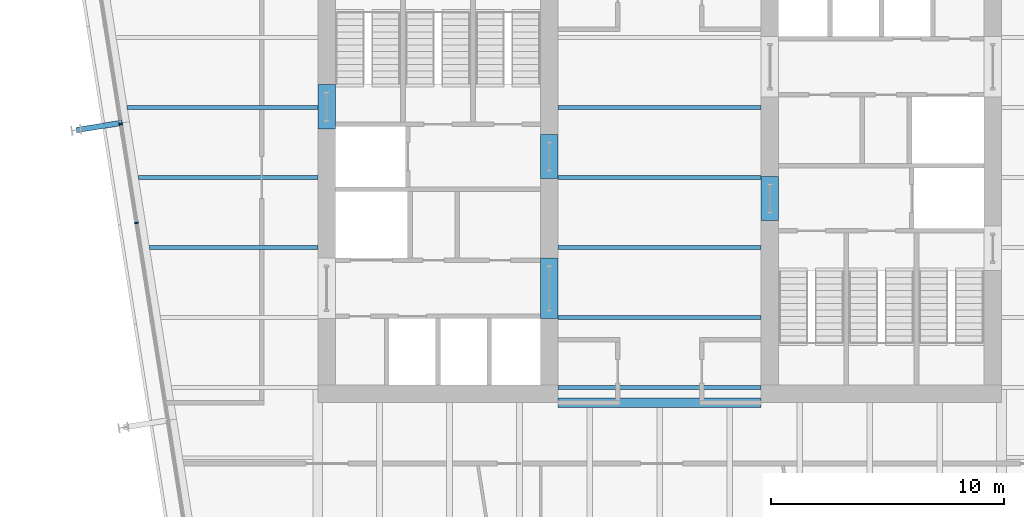
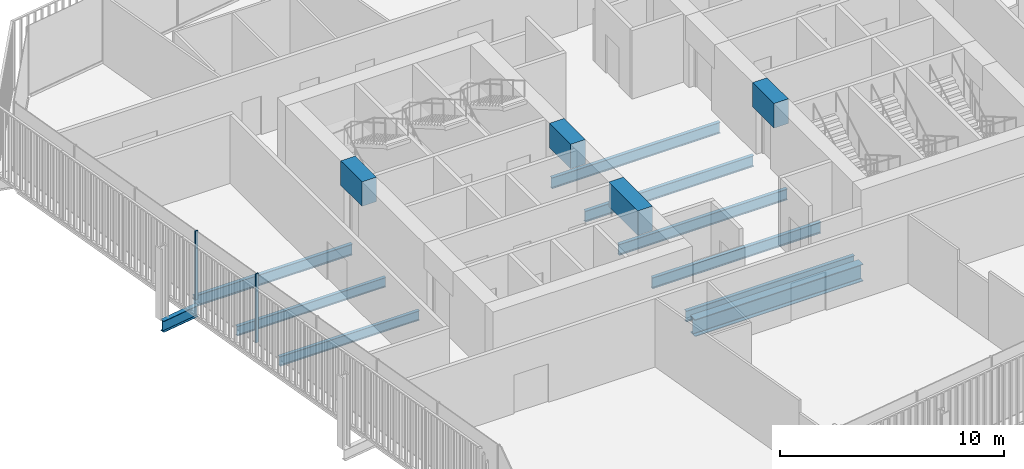
# One storey, part 6 of 21: 14 beams, 2 members, 1 element without a shape of its own.
"""IFC4 building model written with IfcOpenShell, lengths in metres."""

import ifcopenshell
import ifcopenshell.guid

model = None  # the IFC model being written
_history = None  # IfcOwnerHistory: only IFC2X3 demands one
_inside = {}  # id of a spatial element -> (the spatial element, [elements in it])
_under = {}  # id of a project, library or spatial element -> (it, [spatial elements below it])
_declared = {}  # id of a project -> (the project, [libraries it declares])
_typed = {}  # id of a type object -> (the type object, [elements of that type])
_made_of = {}  # id of a material, layer set ... -> (it, [elements and type objects made of it])


def new_model(schema):
    """Start an empty IFC model of exactly this schema.

    Asked for "IFC4X3", IfcOpenShell would pick the latest addendum, in which some entities
    have other attributes; the version numbers below select the first issue.
    IFC2X3 requires an IfcOwnerHistory on every rooted entity: one is made here for all.
    """
    global model, _history
    if schema == "IFC4X3":
        model = ifcopenshell.file(schema_version=(4, 3, 0, 0))
    else:
        model = ifcopenshell.file(schema=schema)
    _inside.clear()
    _under.clear()
    _declared.clear()
    _typed.clear()
    _made_of.clear()
    _history = None
    if model.schema == "IFC2X3":
        org = make("IfcOrganization", Name="unknown")
        user = make(
            "IfcPersonAndOrganization",
            ThePerson=make("IfcPerson", FamilyName="unknown"),
            TheOrganization=org,
        )
        app = make(
            "IfcApplication",
            ApplicationDeveloper=org,
            Version="unknown",
            ApplicationFullName="unknown",
            ApplicationIdentifier="unknown",
        )
        _history = make(
            "IfcOwnerHistory",
            OwningUser=user,
            OwningApplication=app,
            ChangeAction="ADDED",
            CreationDate=0,
        )
    return model


def make(cls, **values):
    """One entity of the class cls with the attributes given. An attribute that is None is left unset."""
    return model.create_entity(
        cls, **{name: value for name, value in values.items() if value is not None}
    )


def rooted(cls, **values):
    """An entity with a GlobalId (a new one), such as an element, a storey or a relation."""
    return make(cls, GlobalId=ifcopenshell.guid.new(), OwnerHistory=_history, **values)


def si_unit(unit_type, name, prefix=None):
    """IfcSIUnit, for example si_unit("LENGTHUNIT", "METRE", prefix="MILLI")."""
    return make("IfcSIUnit", UnitType=unit_type, Prefix=prefix, Name=name)


def assignment(units):
    """IfcUnitAssignment: the units of a project."""
    return None if units is None else make("IfcUnitAssignment", Units=units)


def point(xyz):
    """IfcCartesianPoint."""
    return None if xyz is None else make("IfcCartesianPoint", Coordinates=xyz)


def direction(xyz):
    """IfcDirection."""
    return None if xyz is None else make("IfcDirection", DirectionRatios=xyz)


def frame(location, z_axis=None, x_axis=None):
    """IfcAxis2Placement3D, a coordinate frame: its origin and axes. An axis left out is left unset."""
    return make(
        "IfcAxis2Placement3D",
        Location=point(location),
        Axis=direction(z_axis),
        RefDirection=direction(x_axis),
    )


def frame_2d(location, x_axis=None):
    """IfcAxis2Placement2D, a coordinate frame in the plane: its origin and x axis."""
    return make(
        "IfcAxis2Placement2D", Location=point(location), RefDirection=direction(x_axis)
    )


def origin():
    """The frame at (0, 0, 0) with its axes left unset."""
    return frame((0.0, 0.0, 0.0))


def origin_2d():
    """The frame at (0, 0) in the plane with its x axis left unset."""
    return frame_2d((0.0, 0.0))


def place(relative_to, where):
    """IfcLocalPlacement: puts the frame where relative to a parent placement (None: the world)."""
    return make(
        "IfcLocalPlacement", PlacementRelTo=relative_to, RelativePlacement=where
    )


def context(
    kind, dimensions, precision=None, world=None, true_north=None, identifier=None
):
    """IfcGeometricRepresentationContext, for example the 3D "Model" context."""
    return make(
        "IfcGeometricRepresentationContext",
        ContextIdentifier=identifier,
        ContextType=kind,
        CoordinateSpaceDimension=dimensions,
        Precision=precision,
        WorldCoordinateSystem=world,
        TrueNorth=true_north,
    )


def subcontext(parent, identifier, kind, view, scale=None):
    """IfcGeometricRepresentationSubContext, for example "Body" below "Model"."""
    return make(
        "IfcGeometricRepresentationSubContext",
        ContextIdentifier=identifier,
        ContextType=kind,
        ParentContext=parent,
        TargetScale=scale,
        TargetView=view,
    )


def project(units=None, contexts=None):
    """IfcProject with its units and contexts."""
    return rooted(
        "IfcProject",
        Name="project",
        RepresentationContexts=contexts,
        UnitsInContext=assignment(units),
    )


def spatial(cls, under=None, at=None, **own):
    """A site, building, storey or space (cls), placed at a placement, below another one or the project."""
    s = rooted(cls, ObjectPlacement=at, **own)
    if under is not None:
        _under.setdefault(under.id(), (under, []))[1].append(s)
    return s


def profile(cls, at=None, kind="AREA", **sizes):
    """A parametric profile (cls). Its sizes go by their IFC names, for example OverallWidth=200.0."""
    return make(cls, ProfileType=kind, Position=at, **sizes)


def rectangle(**sizes):
    """IfcRectangleProfileDef."""
    return profile("IfcRectangleProfileDef", **sizes)


def i_section(**sizes):
    """IfcIShapeProfileDef."""
    return profile("IfcIShapeProfileDef", **sizes)


def extrude(swept, where, along, depth):
    """IfcExtrudedAreaSolid: the profile swept, set in the frame where, extruded along a direction by depth."""
    return make(
        "IfcExtrudedAreaSolid",
        SweptArea=swept,
        Position=where,
        ExtrudedDirection=direction(along),
        Depth=depth,
    )


def shape(context_of_items, identifier, shape_type, items):
    """IfcShapeRepresentation: the items that make up one representation, for example the "Body"."""
    return make(
        "IfcShapeRepresentation",
        ContextOfItems=context_of_items,
        RepresentationIdentifier=identifier,
        RepresentationType=shape_type,
        Items=items,
    )


def material(Name=None, Category=None):
    """IfcMaterial."""
    return make("IfcMaterial", Name=Name, Category=Category)


def layer(
    of_material, thickness, ventilated=None, Name=None, Category=None, Priority=None
):
    """IfcMaterialLayer: one layer of a wall or slab, of a material (None: an air gap)."""
    return make(
        "IfcMaterialLayer",
        Material=of_material,
        LayerThickness=thickness,
        IsVentilated=ventilated,
        Name=Name,
        Category=Category,
        Priority=Priority,
    )


def layer_set(layers, Name=None):
    """IfcMaterialLayerSet."""
    return make("IfcMaterialLayerSet", MaterialLayers=layers, LayerSetName=Name)


def material_profile(
    of_material, cross_section, Name=None, Category=None, Priority=None
):
    """IfcMaterialProfile: a cross section and its material."""
    return make(
        "IfcMaterialProfile",
        Name=Name,
        Material=of_material,
        Profile=cross_section,
        Priority=Priority,
        Category=Category,
    )


def profile_set(profiles, Name=None, composite=None):
    """IfcMaterialProfileSet."""
    return make(
        "IfcMaterialProfileSet",
        Name=Name,
        MaterialProfiles=profiles,
        CompositeProfile=composite,
    )


def made_of(thing, what):
    """Note that an element or type object is made of a material, layer set ...; save() writes the relation."""
    if what is not None:
        _made_of.setdefault(what.id(), (what, []))[1].append(thing)
    return thing


def type_object(cls, material=None, **own):
    """A type object (cls), such as IfcWallType, which elements share."""
    return made_of(rooted(cls, **own), material)


def element(
    cls,
    number,
    at=None,
    inside=None,
    cuts=None,
    type_object=None,
    material=None,
    context=None,
    identifier="Body",
    shape_type=None,
    held_by="IfcProductDefinitionShape",
    body=None,
    shapes=None,
    **own,
):
    """One element of the class cls, such as IfcWall. Its Tag is "e" and its number.

    at: its placement. inside: the storey or other place that contains it. cuts: it is an
    opening in that element (IfcRelVoidsElement). A single representation is given by context,
    identifier, shape_type and body (its items); several are given by shapes. held_by: the class
    of the entity that holds the representations. save() writes the other relations.
    """
    e = rooted(cls, Tag="e%d" % number, ObjectPlacement=at, **own)
    if body is not None:
        shapes = [shape(context, identifier, shape_type, body)]
    if shapes is not None:
        e.Representation = make(held_by, Representations=shapes)
    if inside is not None:
        _inside.setdefault(inside.id(), (inside, []))[1].append(e)
    if cuts is not None:
        rooted(
            "IfcRelVoidsElement", RelatingBuildingElement=cuts, RelatedOpeningElement=e
        )
    if type_object is not None:
        _typed.setdefault(type_object.id(), (type_object, []))[1].append(e)
    return made_of(e, material)


def aggregate(whole, parts):
    """IfcRelAggregates: a whole, such as a stair, and the parts it consists of."""
    return rooted("IfcRelAggregates", RelatingObject=whole, RelatedObjects=parts)


def save(model, path):
    """Write the relations noted so far, then the file.

    IfcRelAggregates (storeys below a building ...), IfcRelContainedInSpatialStructure (elements
    in a storey), IfcRelDefinesByType, IfcRelAssociatesMaterial and IfcRelDeclares: one each for
    every whole, place, type object, material and project.
    """
    for whole, parts in _under.values():
        aggregate(whole, parts)
    for where, things in _inside.values():
        rooted(
            "IfcRelContainedInSpatialStructure",
            RelatedElements=things,
            RelatingStructure=where,
        )
    for kind, things in _typed.values():
        rooted("IfcRelDefinesByType", RelatedObjects=things, RelatingType=kind)
    for what, things in _made_of.values():
        rooted("IfcRelAssociatesMaterial", RelatedObjects=things, RelatingMaterial=what)
    for by, libraries in _declared.values():
        rooted("IfcRelDeclares", RelatingContext=by, RelatedDefinitions=libraries)
    model.write(path)


model = new_model("IFC4")

# Units and contexts
model_context = context("Model", 3, precision=1e-05, world=origin(), true_north=direction((0.0, 1.0)))
body_context = subcontext(model_context, "Body", "Model", "MODEL_VIEW")
ifc_project = project(units=[si_unit("LENGTHUNIT", "METRE"), si_unit("AREAUNIT", "SQUARE_METRE"), si_unit("VOLUMEUNIT", "CUBIC_METRE"), si_unit("PLANEANGLEUNIT", "RADIAN"), si_unit("MASSUNIT", "GRAM", prefix="KILO")], contexts=[model_context])

# Site, building, storey
site_placement = place(None, origin())
site = spatial("IfcSite", under=ifc_project, at=site_placement, CompositionType="ELEMENT")
building_placement = place(site_placement, origin())
building = spatial("IfcBuilding", under=site, at=building_placement, Name="Millrace Tower", CompositionType="ELEMENT")
storey_placement = place(building_placement, frame((0.0, 0.0, 183.89990234375)))
storey = spatial("IfcBuildingStorey", under=building, at=storey_placement, Name="L41", CompositionType="ELEMENT", Elevation=183.89990234375)

# Curtain wall, members
ifc_material_1 = material(Name="Aluminium and glass", Category="aluminium")
ifc_layer = layer(ifc_material_1, 0.14990234375)
ifc_layer_set = layer_set([ifc_layer], Name="Aluminium and glass")
curtain_wall_type = type_object("IfcCurtainWallType", Name="CW-1 office vision curtain wall", PredefinedType="NOTDEFINED", material=ifc_layer_set)
curtain_wall_placement = place(storey_placement, origin())
curtain_wall = element("IfcCurtainWall", 1, at=curtain_wall_placement, inside=storey, type_object=curtain_wall_type, Name="Curtain wall C-F08 L41", PredefinedType="NOTDEFINED")
ifc_material_2 = material(Name="Aluminium", Category="aluminium")
ifc_material_profile_1 = material_profile(ifc_material_2, rectangle(XDim=0.06494140625, YDim=0.14990234375, at=origin_2d()))
ifc_profile_set_1 = profile_set([ifc_material_profile_1], Name="Aluminium")
member_type = type_object("IfcMemberType", Name="CW-1 office vision curtain wall mullion", PredefinedType="MULLION", material=ifc_profile_set_1)
member_1_placement = place(storey_placement, frame((-23.088623046875, 2.300537109375, 0.14013671875), z_axis=(0.0, 0.0, 1.0), x_axis=(0.15643447328, -0.98768833929, 0.0)))
member_1 = element("IfcMember", 2, at=member_1_placement, type_object=member_type, Name="CW1 mullion C-F08.4", PredefinedType="MULLION", context=body_context, shape_type="SweptSolid", body=[
    extrude(rectangle(XDim=0.06494140625, YDim=0.14990234375, at=origin_2d()), origin(), (0.0, 0.0, 1.0), 3.760009765625),
])
member_2_placement = place(storey_placement, frame((-22.416015625, -1.946533203125, 0.14013671875), z_axis=(0.0, 0.0, 1.0), x_axis=(0.15643447328, -0.98768833929, 0.0)))
member_2 = element("IfcMember", 3, at=member_2_placement, type_object=member_type, Name="CW1 mullion C-F08.5", PredefinedType="MULLION", context=body_context, shape_type="SweptSolid", body=[
    extrude(rectangle(XDim=0.06494140625, YDim=0.14990234375, at=origin_2d()), origin(), (0.0, 0.0, 1.0), 3.760009765625),
])
aggregate(curtain_wall, [member_1, member_2])

# Beams
ifc_material_3 = material(Name="Concrete C70", Category="concrete")
ifc_material_profile_2 = material_profile(ifc_material_3, rectangle(XDim=0.75, YDim=1.340087890625, at=origin_2d()))
ifc_profile_set_2 = profile_set([ifc_material_profile_2], Name="Concrete C70")
beam_type_1 = type_object("IfcBeamType", Name="Coupling beam 750 x 1340 Concrete C70, 1300 opening", PredefinedType="BEAM", material=ifc_profile_set_2)
beam_1_placement = place(storey_placement, frame((-14.27490234375, 2.080078125, 3.070068359375), z_axis=(0.0, 1.0, 0.0), x_axis=(-1.0, 0.0, 0.0)))
element("IfcBeam", 4, at=beam_1_placement, inside=storey, type_object=beam_type_1, Name="Coupling beam W L41", PredefinedType="BEAM", context=body_context, shape_type="SweptSolid", body=[
    extrude(rectangle(XDim=0.75, YDim=1.340087890625, at=origin_2d()), origin(), (0.0, 0.0, 1.0), 1.89990234375),
])
for number, where, z_axis, x_axis, name in (
    (5, (-4.72509765625, -0.050048828125, 3.070068359375), (0.0, 1.0, 0.0), (-1.0, 0.0, 0.0), "Coupling beam W L41"),
    (6, (4.72509765625, 0.050048828125, 3.070068359375), (0.0, -1.0, 0.0), (1.0, 0.0, 0.0), "Coupling beam E L41"),
):
    element("IfcBeam", number, at=place(storey_placement, frame(where, z_axis=z_axis, x_axis=x_axis)), inside=storey, type_object=beam_type_1, Name=name, PredefinedType="BEAM", context=body_context, shape_type="SweptSolid", body=[
        extrude(rectangle(XDim=0.75, YDim=1.340087890625, at=origin_2d()), origin(), (0.0, 0.0, 1.0), 1.900146484375),
    ])
ifc_material_4 = material(Name="Concrete C70", Category="concrete")
ifc_material_profile_3 = material_profile(ifc_material_4, rectangle(XDim=0.75, YDim=1.340087890625, at=origin_2d()))
ifc_profile_set_3 = profile_set([ifc_material_profile_3], Name="Concrete C70")
beam_type_2 = type_object("IfcBeamType", Name="Coupling beam 750 x 1340 Concrete C70, 2000 opening", PredefinedType="BEAM", material=ifc_profile_set_3)
beam_2_placement = place(storey_placement, frame((-4.72509765625, -6.050048828125, 3.070068359375), z_axis=(0.0, 1.0, 0.0), x_axis=(-1.0, 0.0, 0.0)))
element("IfcBeam", 7, at=beam_2_placement, inside=storey, type_object=beam_type_2, Name="Coupling beam W L41", PredefinedType="BEAM", context=body_context, shape_type="SweptSolid", body=[
    extrude(rectangle(XDim=0.75, YDim=1.340087890625, at=origin_2d()), origin(), (0.0, 0.0, 1.0), 2.60009765625),
])
ifc_material_5 = material(Name="Steel ASTM A992 Grade 50", Category="steel")
ifc_material_profile_4 = material_profile(ifc_material_5, i_section(OverallWidth=0.1650390625, OverallDepth=0.52587890625, WebThickness=0.0087890625, FlangeThickness=0.011474609375, FilletRadius=0.0126953125, at=origin_2d()))
ifc_profile_set_4 = profile_set([ifc_material_profile_4], Name="Steel ASTM A992 Grade 50")
beam_type_3 = type_object("IfcBeamType", Name="Floor beam W21x44", PredefinedType="JOIST", material=ifc_profile_set_4)
beam_3_placement = place(storey_placement, frame((-21.862060546875, -3.0, -0.4228515625), z_axis=(1.0, 0.0, 0.0), x_axis=(0.0, 1.0, 0.0)))
element("IfcBeam", 8, at=beam_3_placement, inside=storey, type_object=beam_type_3, Name="BM-C-L41-S1-S017", PredefinedType="JOIST", context=body_context, shape_type="SweptSolid", body=[
    extrude(i_section(OverallWidth=0.1650390625, OverallDepth=0.52587890625, WebThickness=0.0087890625, FlangeThickness=0.011474609375, FilletRadius=0.0126953125, at=origin_2d()), origin(), (0.0, 0.0, 1.0), 7.212158203125),
])
beam_4_placement = place(storey_placement, frame((-22.337158203125, 0.0, -0.4228515625), z_axis=(1.0, 0.0, 0.0), x_axis=(0.0, 1.0, 0.0)))
element("IfcBeam", 9, at=beam_4_placement, inside=storey, type_object=beam_type_3, Name="BM-C-L41-S1-S020", PredefinedType="JOIST", context=body_context, shape_type="SweptSolid", body=[
    extrude(i_section(OverallWidth=0.1650390625, OverallDepth=0.52587890625, WebThickness=0.0087890625, FlangeThickness=0.011474609375, FilletRadius=0.0126953125, at=origin_2d()), origin(), (0.0, 0.0, 1.0), 7.687255859375),
])
ifc_material_6 = material(Name="Steel ASTM A992 Grade 50", Category="steel")
ifc_material_profile_5 = material_profile(ifc_material_6, i_section(OverallWidth=0.177978515625, OverallDepth=0.599365234375, WebThickness=0.010009765625, FlangeThickness=0.012939453125, FilletRadius=0.012939453125, at=origin_2d()))
ifc_profile_set_5 = profile_set([ifc_material_profile_5], Name="Steel ASTM A992 Grade 50")
beam_type_4 = type_object("IfcBeamType", Name="Floor beam W24x55", PredefinedType="JOIST", material=ifc_profile_set_5)
for number, where, z_axis, x_axis, name in (
    (10, (-4.35009765625, -9.0, -0.459716796875), (1.0, 0.0, 0.0), (0.0, 1.0, 0.0), "BM-C-L41-S1-S010"),
    (11, (-4.35009765625, -6.0, -0.459716796875), (1.0, 0.0, 0.0), (0.0, 1.0, 0.0), "BM-C-L41-S1-S013"),
    (12, (-4.35009765625, -3.0, -0.459716796875), (1.0, 0.0, 0.0), (0.0, 1.0, 0.0), "BM-C-L41-S1-S016"),
    (13, (-4.35009765625, 0.0, -0.459716796875), (1.0, 0.0, 0.0), (0.0, 1.0, 0.0), "BM-C-L41-S1-S019"),
    (14, (-4.35009765625, 3.0, -0.459716796875), (1.0, 0.0, 0.0), (0.0, 1.0, 0.0), "BM-C-L41-S1-S022"),
):
    element("IfcBeam", number, at=place(storey_placement, frame(where, z_axis=z_axis, x_axis=x_axis)), inside=storey, type_object=beam_type_4, Name=name, PredefinedType="JOIST", context=body_context, shape_type="SweptSolid", body=[
        extrude(i_section(OverallWidth=0.177978515625, OverallDepth=0.599365234375, WebThickness=0.010009765625, FlangeThickness=0.012939453125, FilletRadius=0.012939453125, at=origin_2d()), origin(), (0.0, 0.0, 1.0), 8.7001953125),
    ])
beam_5_placement = place(storey_placement, frame((-22.812255859375, 3.0, -0.459716796875), z_axis=(1.0, 0.0, 0.0), x_axis=(0.0, 1.0, 0.0)))
element("IfcBeam", 15, at=beam_5_placement, inside=storey, type_object=beam_type_4, Name="BM-C-L41-S1-S023", PredefinedType="JOIST", context=body_context, shape_type="SweptSolid", body=[
    extrude(i_section(OverallWidth=0.177978515625, OverallDepth=0.599365234375, WebThickness=0.010009765625, FlangeThickness=0.012939453125, FilletRadius=0.012939453125, at=origin_2d()), origin(), (0.0, 0.0, 1.0), 8.162353515625),
])
ifc_material_7 = material(Name="Steel ASTM A992 Grade 50", Category="steel")
ifc_material_profile_6 = material_profile(ifc_material_7, i_section(OverallWidth=0.419189453125, OverallDepth=0.927001953125, WebThickness=0.019287109375, FlangeThickness=0.031982421875, FilletRadius=0.024169921875, at=origin_2d()))
ifc_profile_set_6 = profile_set([ifc_material_profile_6], Name="Steel ASTM A992 Grade 50")
beam_type_5 = type_object("IfcBeamType", Name="Girder short span W36x231", PredefinedType="BEAM", material=ifc_profile_set_6)
beam_6_placement = place(storey_placement, frame((-4.35009765625, -9.64990234375, -0.62353515625), z_axis=(1.0, 0.0, 0.0), x_axis=(0.0, 1.0, 0.0)))
element("IfcBeam", 16, at=beam_6_placement, inside=storey, type_object=beam_type_5, Name="BM-C-L41-S1-G062", PredefinedType="BEAM", context=body_context, shape_type="SweptSolid", body=[
    extrude(i_section(OverallWidth=0.419189453125, OverallDepth=0.927001953125, WebThickness=0.019287109375, FlangeThickness=0.031982421875, FilletRadius=0.024169921875, at=origin_2d()), origin(), (0.0, 0.0, 1.0), 8.7001953125),
])
ifc_material_8 = material(Name="Steel ASTM A992 Grade 50", Category="steel")
ifc_material_profile_7 = material_profile(ifc_material_8, i_section(OverallWidth=0.23046875, OverallDepth=0.6171875, WebThickness=0.01318359375, FlangeThickness=0.022216796875, FilletRadius=0.012939453125, at=origin_2d()))
ifc_profile_set_7 = profile_set([ifc_material_profile_7], Name="Steel ASTM A992 Grade 50")
beam_type_6 = type_object("IfcBeamType", Name="Link beam W24x94", PredefinedType="BEAM", material=ifc_profile_set_7)
beam_7_placement = place(storey_placement, frame((-23.019775390625, 2.344482421875, -0.468505859375), z_axis=(-0.987678691416, -0.156495375404, 0.0), x_axis=(0.156495375404, -0.987678691416, 0.0)))
element("IfcBeam", 17, at=beam_7_placement, inside=storey, type_object=beam_type_6, Name="LNK-C-L41-S1-03", PredefinedType="BEAM", context=body_context, shape_type="SweptSolid", body=[
    extrude(i_section(OverallWidth=0.23046875, OverallDepth=0.6171875, WebThickness=0.01318359375, FlangeThickness=0.022216796875, FilletRadius=0.012939453125, at=origin_2d()), origin(), (0.0, 0.0, 1.0), 2.0),
])

save(model, "model.ifc")
